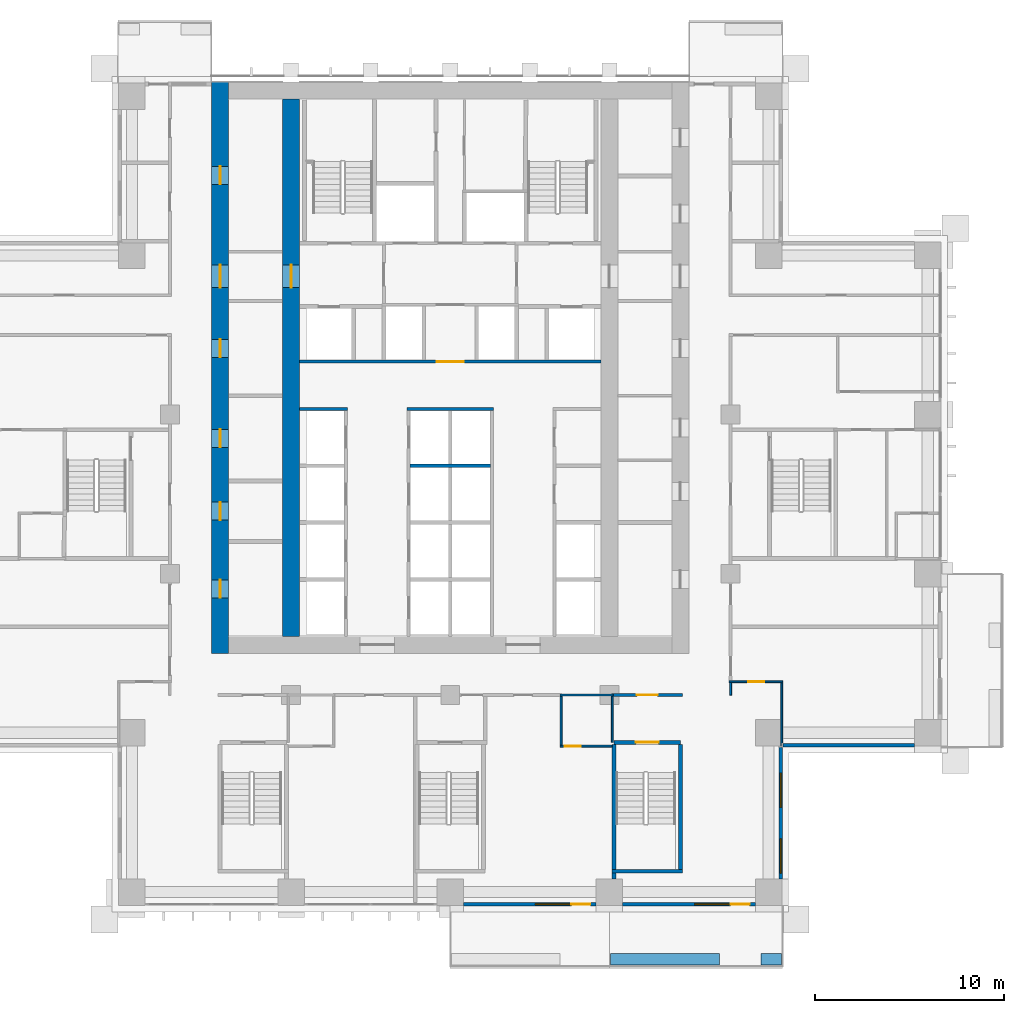
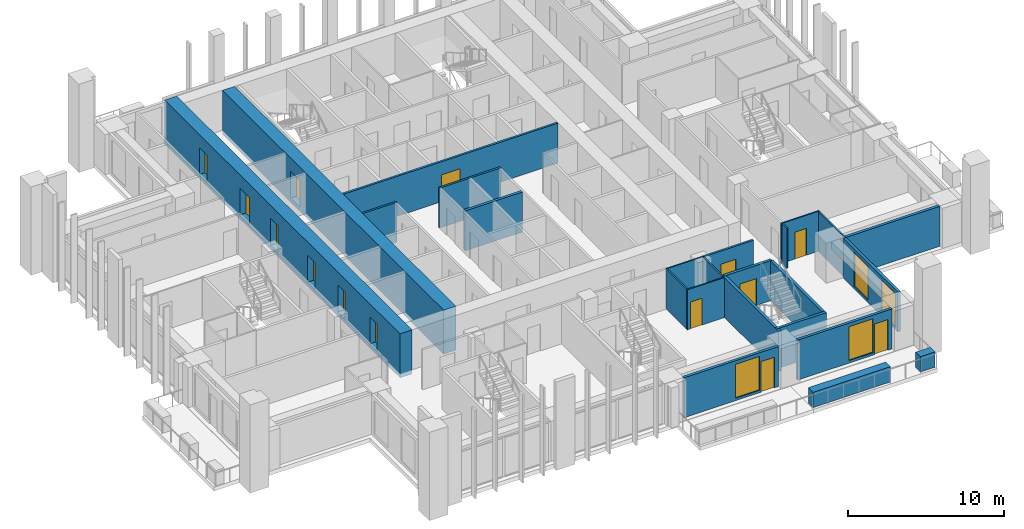
# One storey, part 10 of 19: 24 walls, 14 doors, 4 windows, 18 openings.
"""IFC4 building model written with IfcOpenShell, lengths in metres."""

from ifc_helpers import new_model, si_unit, direction, frame, frame_2d, origin, place, context, subcontext, project, spatial, rectangle, extrude, material, layer, layer_set, type_object, element, fill, save


model = new_model("IFC4")

# Units and contexts
model_context = context("Model", 3, precision=1e-05, world=origin(), true_north=direction((0.0, 1.0)))
body_context = subcontext(model_context, "Body", "Model", "MODEL_VIEW")
ifc_project = project(units=[si_unit("LENGTHUNIT", "METRE"), si_unit("AREAUNIT", "SQUARE_METRE"), si_unit("VOLUMEUNIT", "CUBIC_METRE"), si_unit("PLANEANGLEUNIT", "RADIAN"), si_unit("MASSUNIT", "GRAM", prefix="KILO")], contexts=[model_context])

# Site, building, storey
site_placement = place(None, origin())
site = spatial("IfcSite", under=ifc_project, at=site_placement, CompositionType="ELEMENT")
building_placement = place(site_placement, origin())
building = spatial("IfcBuilding", under=site, at=building_placement, Name="Vermilion Ogive Tower", CompositionType="ELEMENT")
storey_placement = place(building_placement, frame((0.0, 0.0, 62.10009765625)))
storey = spatial("IfcBuildingStorey", under=building, at=storey_placement, Name="L14", CompositionType="ELEMENT", Elevation=62.10009765625)

# Wall, openings, doors
ifc_material_1 = material(Name="Concrete B80", Category="concrete")
ifc_layer_1 = layer(ifc_material_1, 0.89990234375)
ifc_layer_set_1 = layer_set([ifc_layer_1], Name="Core wall 900 B80")
wall_type_1 = type_object("IfcWallType", Name="Core wall 900 B80", PredefinedType="SHEAR", material=ifc_layer_set_1)
wall_1_placement = place(storey_placement, frame((-12.14990234375, -8.39990234375, -0.320068359375), z_axis=(0.0, 0.0, 1.0), x_axis=(0.0, 1.0, 0.0)))
wall_1 = element("IfcWall", 1, at=wall_1_placement, inside=storey, type_object=wall_type_1, Name="L14-CORE-W", PredefinedType="SHEAR", context=body_context, shape_type="SweptSolid", body=[
    extrude(rectangle(XDim=30.14990234375, YDim=0.89990234375, at=frame_2d((15.074951171875, 0.0))), origin(), (0.0, 0.0, 1.0), 3.449951171875),
])
opening_1_placement = place(wall_1_placement, frame((2.925048828125, 0.0, 0.320068359375)))
opening_1 = element("IfcOpeningElement", 2, at=opening_1_placement, cuts=wall_1, Name="Opening DAD023", PredefinedType="OPENING", context=body_context, shape_type="SweptSolid", body=[
    extrude(rectangle(XDim=0.949951171875, YDim=2.10009765625, at=frame_2d((0.47509765625, 1.050048828125))), frame((0.0, 0.4599609375, 0.0), z_axis=(0.0, -1.0, 0.0), x_axis=(1.0, 0.0, 0.0)), (0.0, 0.0, 1.0), 0.919921875),
])
opening_2_placement = place(wall_1_placement, frame((7.02490234375, 0.0, 0.320068359375)))
opening_2 = element("IfcOpeningElement", 3, at=opening_2_placement, cuts=wall_1, Name="Opening DAD024", PredefinedType="OPENING", context=body_context, shape_type="SweptSolid", body=[
    extrude(rectangle(XDim=0.949951171875, YDim=2.10009765625, at=frame_2d((0.47509765625, 1.050048828125))), frame((0.0, 0.4599609375, 0.0), z_axis=(0.0, -1.0, 0.0), x_axis=(1.0, 0.0, 0.0)), (0.0, 0.0, 1.0), 0.919921875),
])
opening_3_placement = place(wall_1_placement, frame((10.875, 0.0, 0.320068359375)))
opening_3 = element("IfcOpeningElement", 4, at=opening_3_placement, cuts=wall_1, Name="Opening DAD025", PredefinedType="OPENING", context=body_context, shape_type="SweptSolid", body=[
    extrude(rectangle(XDim=0.949951171875, YDim=2.10009765625, at=frame_2d((0.47509765625, 1.050048828125))), frame((0.0, 0.4599609375, 0.0), z_axis=(0.0, -1.0, 0.0), x_axis=(1.0, 0.0, 0.0)), (0.0, 0.0, 1.0), 0.919921875),
])
opening_4_placement = place(wall_1_placement, frame((15.625, 0.0, 0.320068359375)))
opening_4 = element("IfcOpeningElement", 5, at=opening_4_placement, cuts=wall_1, Name="Opening DAD026", PredefinedType="OPENING", context=body_context, shape_type="SweptSolid", body=[
    extrude(rectangle(XDim=0.949951171875, YDim=2.10009765625, at=frame_2d((0.47509765625, 1.050048828125))), frame((0.0, 0.4599609375, 0.0), z_axis=(0.0, -1.0, 0.0), x_axis=(1.0, 0.0, 0.0)), (0.0, 0.0, 1.0), 0.919921875),
])
opening_5_placement = place(wall_1_placement, frame((24.75, 0.0, 0.320068359375)))
opening_5 = element("IfcOpeningElement", 6, at=opening_5_placement, cuts=wall_1, Name="Opening DAD027", PredefinedType="OPENING", context=body_context, shape_type="SweptSolid", body=[
    extrude(rectangle(XDim=0.949951171875, YDim=2.10009765625, at=frame_2d((0.47509765625, 1.050048828125))), frame((0.0, 0.4599609375, 0.0), z_axis=(0.0, -1.0, 0.0), x_axis=(1.0, 0.0, 0.0)), (0.0, 0.0, 1.0), 0.919921875),
])
opening_6_placement = place(wall_1_placement, frame((19.300048828125, 0.0, 0.320068359375)))
opening_6 = element("IfcOpeningElement", 7, at=opening_6_placement, cuts=wall_1, Name="Opening DAM005", PredefinedType="OPENING", context=body_context, shape_type="SweptSolid", body=[
    extrude(rectangle(XDim=1.199951171875, YDim=2.10009765625, at=frame_2d((0.60009765625, 1.050048828125))), frame((0.0, 0.4599609375, 0.0), z_axis=(0.0, -1.0, 0.0), x_axis=(1.0, 0.0, 0.0)), (0.0, 0.0, 1.0), 0.919921875),
])
ifc_material_2 = material(Name="Timber door leaf", Category="wood")
door_type_1 = type_object("IfcDoorType", Name="Link door 1200 x 2100 FD60S", OperationType="SINGLE_SWING_LEFT", PredefinedType="DOOR", material=ifc_material_2)
door_1_placement = place(opening_6_placement, origin())
door_1 = element("IfcDoor", 8, at=door_1_placement, inside=storey, type_object=door_type_1, Name="L14-CKW-XL", OperationType="SINGLE_SWING_LEFT", OverallHeight=2.10009765625, OverallWidth=1.199951171875, PredefinedType="DOOR", context=body_context, shape_type="SweptSolid", body=[
    extrude(rectangle(XDim=1.199951171875, YDim=2.10009765625, at=frame_2d((0.60009765625, 1.050048828125))), frame((0.0, 0.02490234375, 0.0), z_axis=(0.0, -1.0, 0.0), x_axis=(1.0, 0.0, 0.0)), (0.0, 0.0, 1.0), 0.050048828125),
])
fill(opening_6, door_1)
ifc_material_3 = material(Name="Timber door leaf", Category="wood")
door_type_2 = type_object("IfcDoorType", Name="Service door 950 x 2100 FD60", OperationType="SINGLE_SWING_LEFT", PredefinedType="DOOR", material=ifc_material_3)
door_2_placement = place(opening_1_placement, origin())
door_2 = element("IfcDoor", 9, at=door_2_placement, inside=storey, type_object=door_type_2, Name="L14-CKW-XR0", OperationType="SINGLE_SWING_LEFT", OverallHeight=2.10009765625, OverallWidth=0.949951171875, PredefinedType="DOOR", context=body_context, shape_type="SweptSolid", body=[
    extrude(rectangle(XDim=0.949951171875, YDim=2.10009765625, at=frame_2d((0.47509765625, 1.050048828125))), frame((0.0, 0.02490234375, 0.0), z_axis=(0.0, -1.0, 0.0), x_axis=(1.0, 0.0, 0.0)), (0.0, 0.0, 1.0), 0.050048828125),
])
fill(opening_1, door_2)
door_3_placement = place(opening_2_placement, origin())
door_3 = element("IfcDoor", 10, at=door_3_placement, inside=storey, type_object=door_type_2, Name="L14-CKW-XR1", OperationType="SINGLE_SWING_LEFT", OverallHeight=2.10009765625, OverallWidth=0.949951171875, PredefinedType="DOOR", context=body_context, shape_type="SweptSolid", body=[
    extrude(rectangle(XDim=0.949951171875, YDim=2.10009765625, at=frame_2d((0.47509765625, 1.050048828125))), frame((0.0, 0.02490234375, 0.0), z_axis=(0.0, -1.0, 0.0), x_axis=(1.0, 0.0, 0.0)), (0.0, 0.0, 1.0), 0.050048828125),
])
fill(opening_2, door_3)
door_4_placement = place(opening_3_placement, origin())
door_4 = element("IfcDoor", 11, at=door_4_placement, inside=storey, type_object=door_type_2, Name="L14-CKW-XR2", OperationType="SINGLE_SWING_LEFT", OverallHeight=2.10009765625, OverallWidth=0.949951171875, PredefinedType="DOOR", context=body_context, shape_type="SweptSolid", body=[
    extrude(rectangle(XDim=0.949951171875, YDim=2.10009765625, at=frame_2d((0.47509765625, 1.050048828125))), frame((0.0, 0.02490234375, 0.0), z_axis=(0.0, -1.0, 0.0), x_axis=(1.0, 0.0, 0.0)), (0.0, 0.0, 1.0), 0.050048828125),
])
fill(opening_3, door_4)
door_5_placement = place(opening_4_placement, origin())
door_5 = element("IfcDoor", 12, at=door_5_placement, inside=storey, type_object=door_type_2, Name="L14-CKW-XR3", OperationType="SINGLE_SWING_LEFT", OverallHeight=2.10009765625, OverallWidth=0.949951171875, PredefinedType="DOOR", context=body_context, shape_type="SweptSolid", body=[
    extrude(rectangle(XDim=0.949951171875, YDim=2.10009765625, at=frame_2d((0.47509765625, 1.050048828125))), frame((0.0, 0.02490234375, 0.0), z_axis=(0.0, -1.0, 0.0), x_axis=(1.0, 0.0, 0.0)), (0.0, 0.0, 1.0), 0.050048828125),
])
fill(opening_4, door_5)
door_6_placement = place(opening_5_placement, origin())
door_6 = element("IfcDoor", 13, at=door_6_placement, inside=storey, type_object=door_type_2, Name="L14-CKW-XR4", OperationType="SINGLE_SWING_LEFT", OverallHeight=2.10009765625, OverallWidth=0.949951171875, PredefinedType="DOOR", context=body_context, shape_type="SweptSolid", body=[
    extrude(rectangle(XDim=0.949951171875, YDim=2.10009765625, at=frame_2d((0.47509765625, 1.050048828125))), frame((0.0, 0.02490234375, 0.0), z_axis=(0.0, -1.0, 0.0), x_axis=(1.0, 0.0, 0.0)), (0.0, 0.0, 1.0), 0.050048828125),
])
fill(opening_5, door_6)

# Wall, opening, door
wall_2_placement = place(storey_placement, frame((-8.39990234375, -7.5, -0.320068359375), z_axis=(0.0, 0.0, 1.0), x_axis=(0.0, 1.0, 0.0)))
wall_2 = element("IfcWall", 14, at=wall_2_placement, inside=storey, type_object=wall_type_1, Name="L14-CORE-WEB1", PredefinedType="SHEAR", context=body_context, shape_type="SweptSolid", body=[
    extrude(rectangle(XDim=28.35009765625, YDim=0.89990234375, at=frame_2d((14.175048828125, 0.0))), origin(), (0.0, 0.0, 1.0), 3.449951171875),
])
opening_7_placement = place(wall_2_placement, frame((18.39990234375, 0.0, 0.320068359375)))
opening_7 = element("IfcOpeningElement", 15, at=opening_7_placement, cuts=wall_2, Name="Opening DAP005", PredefinedType="OPENING", context=body_context, shape_type="SweptSolid", body=[
    extrude(rectangle(XDim=1.199951171875, YDim=2.10009765625, at=frame_2d((0.60009765625, 1.050048828125))), frame((0.0, 0.4599609375, 0.0), z_axis=(0.0, -1.0, 0.0), x_axis=(1.0, 0.0, 0.0)), (0.0, 0.0, 1.0), 0.919921875),
])
door_7_placement = place(opening_7_placement, origin())
door_7 = element("IfcDoor", 16, at=door_7_placement, inside=storey, type_object=door_type_1, Name="L14-CKW-XW", OperationType="SINGLE_SWING_LEFT", OverallHeight=2.10009765625, OverallWidth=1.199951171875, PredefinedType="DOOR", context=body_context, shape_type="SweptSolid", body=[
    extrude(rectangle(XDim=1.199951171875, YDim=2.10009765625, at=frame_2d((0.60009765625, 1.050048828125))), frame((0.0, 0.02490234375, 0.0), z_axis=(0.0, -1.0, 0.0), x_axis=(1.0, 0.0, 0.0)), (0.0, 0.0, 1.0), 0.050048828125),
])
fill(opening_7, door_7)

ifc_material_4 = material(Name="Gypsum board partition on steel studs", Category="steel")
ifc_layer_2 = layer(ifc_material_4, 0.10009765625)
ifc_layer_set_2 = layer_set([ifc_layer_2], Name="Partition 100 bath")
wall_type_2 = type_object("IfcWallType", Name="Partition 100 bath", PredefinedType="PARTITIONING", material=ifc_layer_set_2)
wall_3_placement = place(storey_placement, frame((5.802001953125, -13.300048828125, 0.0), z_axis=(0.0, 0.0, 1.0), x_axis=(1.0, 0.0, 0.0)))
wall_3 = element("IfcWall", 17, at=wall_3_placement, inside=storey, type_object=wall_type_2, Name="L14-W-W003", PredefinedType="PARTITIONING", context=body_context, shape_type="SweptSolid", body=[
    extrude(rectangle(XDim=2.748046875, YDim=0.10009765625, at=frame_2d((1.3740234375, 0.0))), origin(), (0.0, 0.0, 1.0), 3.1298828125),
])
opening_8_placement = place(wall_3_placement, frame((0.248046875, 0.0, 0.0)))
opening_8 = element("IfcOpeningElement", 18, at=opening_8_placement, cuts=wall_3, Name="Opening D1G5011", PredefinedType="OPENING", context=body_context, shape_type="SweptSolid", body=[
    extrude(rectangle(XDim=0.85009765625, YDim=2.10009765625, at=frame_2d((0.425048828125, 1.050048828125))), frame((0.0, 0.06005859375, 0.0), z_axis=(0.0, -1.0, 0.0), x_axis=(1.0, 0.0, 0.0)), (0.0, 0.0, 1.0), 0.1201171875),
])
ifc_material_5 = material(Name="Timber door leaf", Category="wood")
door_type_3 = type_object("IfcDoorType", Name="Bath door 850 x 2100 FD30", OperationType="SINGLE_SWING_LEFT", PredefinedType="DOOR", material=ifc_material_5)
door_8_placement = place(opening_8_placement, origin())
door_8 = element("IfcDoor", 19, at=door_8_placement, inside=storey, type_object=door_type_3, Name="L14-D-D011", OperationType="SINGLE_SWING_LEFT", OverallHeight=2.10009765625, OverallWidth=0.85009765625, PredefinedType="DOOR", context=body_context, shape_type="SweptSolid", body=[
    extrude(rectangle(XDim=0.85009765625, YDim=2.10009765625, at=frame_2d((0.425048828125, 1.050048828125))), frame((0.0, 0.02490234375, 0.0), z_axis=(0.0, -1.0, 0.0), x_axis=(1.0, 0.0, 0.0)), (0.0, 0.0, 1.0), 0.050048828125),
])
fill(opening_8, door_8)

# Wall
wall_4_placement = place(storey_placement, frame((5.800048828125, -10.60009765625, 0.0), z_axis=(0.0, 0.0, 1.0), x_axis=(1.0, 0.0, 0.0)))
element("IfcWall", 20, at=wall_4_placement, inside=storey, type_object=wall_type_2, Name="L14-W-W010", PredefinedType="PARTITIONING", context=body_context, shape_type="SweptSolid", body=[
    extrude(rectangle(XDim=2.800048828125, YDim=0.10009765625, at=frame_2d((1.39990234375, 0.0))), origin(), (0.0, 0.0, 1.0), 3.1298828125),
])

# Wall, opening, door
wall_5_placement = place(storey_placement, frame((14.72509765625, -9.89990234375, 0.0), z_axis=(0.0, 0.0, 1.0), x_axis=(1.0, 0.0, 0.0)))
wall_5 = element("IfcWall", 21, at=wall_5_placement, inside=storey, type_object=wall_type_2, Name="L14-W-W013", PredefinedType="PARTITIONING", context=body_context, shape_type="SweptSolid", body=[
    extrude(rectangle(XDim=2.824951171875, YDim=0.10009765625, at=frame_2d((1.41259765625, 0.0))), origin(), (0.0, 0.0, 1.0), 3.1298828125),
])
opening_9_placement = place(wall_5_placement, frame((1.0, 0.0, 0.0)))
opening_9 = element("IfcOpeningElement", 22, at=opening_9_placement, cuts=wall_5, Name="Opening D1G5013", PredefinedType="OPENING", context=body_context, shape_type="SweptSolid", body=[
    extrude(rectangle(XDim=0.85009765625, YDim=2.10009765625, at=frame_2d((0.425048828125, 1.050048828125))), frame((0.0, 0.06005859375, 0.0), z_axis=(0.0, -1.0, 0.0), x_axis=(1.0, 0.0, 0.0)), (0.0, 0.0, 1.0), 0.1201171875),
])
door_9_placement = place(opening_9_placement, origin())
door_9 = element("IfcDoor", 23, at=door_9_placement, inside=storey, type_object=door_type_3, Name="L14-D-D013", OperationType="SINGLE_SWING_RIGHT", OverallHeight=2.10009765625, OverallWidth=0.85009765625, PredefinedType="DOOR", context=body_context, shape_type="SweptSolid", body=[
    extrude(rectangle(XDim=0.85009765625, YDim=2.10009765625, at=frame_2d((0.425048828125, 1.050048828125))), frame((0.0, 0.02490234375, 0.0), z_axis=(0.0, -1.0, 0.0), x_axis=(1.0, 0.0, 0.0)), (0.0, 0.0, 1.0), 0.050048828125),
])
fill(opening_9, door_9)

# Walls
wall_6_placement = place(storey_placement, frame((5.85009765625, -13.248046875, 0.0), z_axis=(0.0, 0.0, 1.0), x_axis=(0.0, 1.0, 0.0)))
element("IfcWall", 24, at=wall_6_placement, inside=storey, type_object=wall_type_2, Name="L14-W-W050", PredefinedType="PARTITIONING", context=body_context, shape_type="SweptSolid", body=[
    extrude(rectangle(XDim=2.572998046875, YDim=0.10009765625, at=frame_2d((1.28662109375, 0.0))), origin(), (0.0, 0.0, 1.0), 3.1298828125),
])
wall_7_placement = place(storey_placement, frame((8.550048828125, -13.10009765625, 0.0), z_axis=(0.0, 0.0, 1.0), x_axis=(0.0, 1.0, 0.0)))
element("IfcWall", 25, at=wall_7_placement, inside=storey, type_object=wall_type_2, Name="L14-W-W051", PredefinedType="PARTITIONING", context=body_context, shape_type="SweptSolid", body=[
    extrude(rectangle(XDim=2.425048828125, YDim=0.10009765625, at=frame_2d((1.21240234375, 0.0))), origin(), (0.0, 0.0, 1.0), 3.1298828125),
])
wall_8_placement = place(storey_placement, frame((14.800048828125, -10.60009765625, 0.0), z_axis=(0.0, 0.0, 1.0), x_axis=(0.0, 1.0, 0.0)))
element("IfcWall", 26, at=wall_8_placement, inside=storey, type_object=wall_type_2, Name="L14-W-W052", PredefinedType="PARTITIONING", context=body_context, shape_type="SweptSolid", body=[
    extrude(rectangle(XDim=0.650146484375, YDim=0.10009765625, at=frame_2d((0.3251953125, 0.0))), origin(), (0.0, 0.0, 1.0), 3.1298828125),
])
wall_9_placement = place(storey_placement, frame((17.5, -13.35009765625, 0.0), z_axis=(0.0, 0.0, 1.0), x_axis=(0.0, 1.0, 0.0)))
element("IfcWall", 27, at=wall_9_placement, inside=storey, type_object=wall_type_2, Name="L14-W-W056", PredefinedType="PARTITIONING", context=body_context, shape_type="SweptSolid", body=[
    extrude(rectangle(XDim=3.400146484375, YDim=0.10009765625, at=frame_2d((1.7001953125, 0.0))), origin(), (0.0, 0.0, 1.0), 3.1298828125),
])

# Wall, opening, door
ifc_material_6 = material(Name="Gypsum board partition on steel studs", Category="steel")
ifc_layer_3 = layer(ifc_material_6, 0.14990234375)
ifc_layer_set_3 = layer_set([ifc_layer_3], Name="Partition 150 corridor")
wall_type_3 = type_object("IfcWallType", Name="Partition 150 corridor", PredefinedType="PARTITIONING", material=ifc_layer_set_3)
wall_10_placement = place(storey_placement, frame((8.5, -10.60009765625, 0.0), z_axis=(0.0, 0.0, 1.0), x_axis=(1.0, 0.0, 0.0)))
wall_10 = element("IfcWall", 28, at=wall_10_placement, inside=storey, type_object=wall_type_3, Name="L14-W-W011", PredefinedType="PARTITIONING", context=body_context, shape_type="SweptSolid", body=[
    extrude(rectangle(XDim=3.75, YDim=0.14990234375, at=frame_2d((1.875, 0.0))), origin(), (0.0, 0.0, 1.0), 3.1298828125),
])
opening_10_placement = place(wall_10_placement, frame((1.35009765625, 0.0, 0.0)))
opening_10 = element("IfcOpeningElement", 29, at=opening_10_placement, cuts=wall_10, Name="Opening D1G5025", PredefinedType="OPENING", context=body_context, shape_type="SweptSolid", body=[
    extrude(rectangle(XDim=1.10009765625, YDim=2.10009765625, at=frame_2d((0.550048828125, 1.050048828125))), frame((0.0, 0.0849609375, 0.0), z_axis=(0.0, -1.0, 0.0), x_axis=(1.0, 0.0, 0.0)), (0.0, 0.0, 1.0), 0.169921875),
])
ifc_material_7 = material(Name="Timber door leaf", Category="wood")
door_type_4 = type_object("IfcDoorType", Name="Stair door 1100 x 2100 FD60S", OperationType="SINGLE_SWING_LEFT", PredefinedType="DOOR", material=ifc_material_7)
door_10_placement = place(opening_10_placement, origin())
door_10 = element("IfcDoor", 30, at=door_10_placement, inside=storey, type_object=door_type_4, Name="L14-D-D025", OperationType="SINGLE_SWING_RIGHT", OverallHeight=2.10009765625, OverallWidth=1.10009765625, PredefinedType="DOOR", context=body_context, shape_type="SweptSolid", body=[
    extrude(rectangle(XDim=1.10009765625, YDim=2.10009765625, at=frame_2d((0.550048828125, 1.050048828125))), frame((0.0, 0.02490234375, 0.0), z_axis=(0.0, -1.0, 0.0), x_axis=(1.0, 0.0, 0.0)), (0.0, 0.0, 1.0), 0.050048828125),
])
fill(opening_10, door_10)

# Walls
wall_11_placement = place(storey_placement, frame((-7.948974609375, 4.5, 0.0), z_axis=(0.0, 0.0, 1.0), x_axis=(1.0, 0.0, 0.0)))
element("IfcWall", 31, at=wall_11_placement, inside=storey, type_object=wall_type_3, Name="L14-CK-W-W010", PredefinedType="PARTITIONING", context=body_context, shape_type="SweptSolid", body=[
    extrude(rectangle(XDim=2.52392578125, YDim=0.14990234375, at=frame_2d((1.261962890625, 0.0))), origin(), (0.0, 0.0, 1.0), 3.1298828125),
])
wall_12_placement = place(storey_placement, frame((-2.27490234375, 4.5, 0.0), z_axis=(0.0, 0.0, 1.0), x_axis=(1.0, 0.0, 0.0)))
element("IfcWall", 32, at=wall_12_placement, inside=storey, type_object=wall_type_3, Name="L14-CK-W-W011", PredefinedType="PARTITIONING", context=body_context, shape_type="SweptSolid", body=[
    extrude(rectangle(XDim=4.5498046875, YDim=0.14990234375, at=frame_2d((2.27490234375, 0.0))), origin(), (0.0, 0.0, 1.0), 3.1298828125),
])

# Wall, opening, door
wall_13_placement = place(storey_placement, frame((-7.948974609375, 7.0, 0.0), z_axis=(0.0, 0.0, 1.0), x_axis=(1.0, 0.0, 0.0)))
wall_13 = element("IfcWall", 33, at=wall_13_placement, inside=storey, type_object=wall_type_3, Name="L14-CK-W-W013", PredefinedType="PARTITIONING", context=body_context, shape_type="SweptSolid", body=[
    extrude(rectangle(XDim=15.89794921875, YDim=0.14990234375, at=frame_2d((7.948974609375, 0.0))), origin(), (0.0, 0.0, 1.0), 3.1298828125),
])
opening_11_placement = place(wall_13_placement, frame((7.2490234375, 0.0, 0.0)))
opening_11 = element("IfcOpeningElement", 34, at=opening_11_placement, cuts=wall_13, Name="Opening DAA093", PredefinedType="OPENING", context=body_context, shape_type="SweptSolid", body=[
    extrude(rectangle(XDim=1.39990234375, YDim=2.10009765625, at=frame_2d((0.699951171875, 1.050048828125))), frame((0.0, 0.0849609375, 0.0), z_axis=(0.0, -1.0, 0.0), x_axis=(1.0, 0.0, 0.0)), (0.0, 0.0, 1.0), 0.169921875),
])
ifc_material_8 = material(Name="Timber door leaf", Category="wood")
door_type_5 = type_object("IfcDoorType", Name="Lobby door 1400 x 2100 FD60S", OperationType="SINGLE_SWING_LEFT", PredefinedType="DOOR", material=ifc_material_8)
door_11_placement = place(opening_11_placement, origin())
door_11 = element("IfcDoor", 35, at=door_11_placement, inside=storey, type_object=door_type_5, Name="L14-CK-D-D015", OperationType="SINGLE_SWING_RIGHT", OverallHeight=2.10009765625, OverallWidth=1.39990234375, PredefinedType="DOOR", context=body_context, shape_type="SweptSolid", body=[
    extrude(rectangle(XDim=1.39990234375, YDim=2.10009765625, at=frame_2d((0.699951171875, 1.050048828125))), frame((0.0, 0.02490234375, 0.0), z_axis=(0.0, -1.0, 0.0), x_axis=(1.0, 0.0, 0.0)), (0.0, 0.0, 1.0), 0.050048828125),
])
fill(opening_11, door_11)

# Wall
ifc_material_9 = material(Name="Gypsum board partition on steel studs", Category="steel")
ifc_layer_4 = layer(ifc_material_9, 0.199951171875)
ifc_layer_set_4 = layer_set([ifc_layer_4], Name="Partition 200 party")
wall_type_4 = type_object("IfcWallType", Name="Partition 200 party", PredefinedType="PARTITIONING", material=ifc_layer_set_4)
wall_14_placement = place(storey_placement, frame((-2.125, 1.5, 0.0), z_axis=(0.0, 0.0, 1.0), x_axis=(1.0, 0.0, 0.0)))
element("IfcWall", 36, at=wall_14_placement, inside=storey, type_object=wall_type_4, Name="L14-CK-W-W008", PredefinedType="PARTITIONING", context=body_context, shape_type="SweptSolid", body=[
    extrude(rectangle(XDim=4.25, YDim=0.199951171875, at=frame_2d((2.125, 0.0))), origin(), (0.0, 0.0, 1.0), 3.1298828125),
])

# Wall, opening, door
ifc_material_10 = material(Name="Concrete B60", Category="concrete")
ifc_layer_5 = layer(ifc_material_10, 0.199951171875)
ifc_layer_set_5 = layer_set([ifc_layer_5], Name="Stair shaft wall 200 Concrete B60")
wall_type_5 = type_object("IfcWallType", Name="Stair shaft wall 200 Concrete B60", PredefinedType="SOLIDWALL", material=ifc_layer_set_5)
wall_15_placement = place(storey_placement, frame((8.64990234375, -13.10009765625, 0.0), z_axis=(0.0, 0.0, 1.0), x_axis=(1.0, 0.0, 0.0)))
wall_15 = element("IfcWall", 37, at=wall_15_placement, inside=storey, type_object=wall_type_5, Name="L14-W-W006", PredefinedType="SOLIDWALL", context=body_context, shape_type="SweptSolid", body=[
    extrude(rectangle(XDim=3.5, YDim=0.199951171875, at=frame_2d((1.75, 0.0))), origin(), (0.0, 0.0, 1.0), 3.1298828125),
])
opening_12_placement = place(wall_15_placement, frame((1.150146484375, 0.0, 0.0)))
opening_12 = element("IfcOpeningElement", 38, at=opening_12_placement, cuts=wall_15, Name="Opening D1G5026", PredefinedType="OPENING", context=body_context, shape_type="SweptSolid", body=[
    extrude(rectangle(XDim=1.199951171875, YDim=2.10009765625, at=frame_2d((0.60009765625, 1.050048828125))), frame((0.0, 0.10986328125, 0.0), z_axis=(0.0, -1.0, 0.0), x_axis=(1.0, 0.0, 0.0)), (0.0, 0.0, 1.0), 0.219970703125),
])
ifc_material_11 = material(Name="Timber door leaf", Category="wood")
door_type_6 = type_object("IfcDoorType", Name="Stair door 1200 x 2100 FD60S", OperationType="SINGLE_SWING_LEFT", PredefinedType="DOOR", material=ifc_material_11)
door_12_placement = place(opening_12_placement, origin())
door_12 = element("IfcDoor", 39, at=door_12_placement, inside=storey, type_object=door_type_6, Name="L14-D-D026", OperationType="SINGLE_SWING_RIGHT", OverallHeight=2.10009765625, OverallWidth=1.199951171875, PredefinedType="DOOR", context=body_context, shape_type="SweptSolid", body=[
    extrude(rectangle(XDim=1.199951171875, YDim=2.10009765625, at=frame_2d((0.60009765625, 1.050048828125))), frame((0.0, 0.02490234375, 0.0), z_axis=(0.0, -1.0, 0.0), x_axis=(1.0, 0.0, 0.0)), (0.0, 0.0, 1.0), 0.050048828125),
])
fill(opening_12, door_12)

# Walls
wall_16_placement = place(storey_placement, frame((8.550048828125, -19.89990234375, 0.0), z_axis=(0.0, 0.0, 1.0), x_axis=(1.0, 0.0, 0.0)))
element("IfcWall", 40, at=wall_16_placement, inside=storey, type_object=wall_type_5, Name="L14-SW-ST5-S1", PredefinedType="SOLIDWALL", context=body_context, shape_type="SweptSolid", body=[
    extrude(rectangle(XDim=3.699951171875, YDim=0.199951171875, at=frame_2d((1.85009765625, 0.0))), origin(), (0.0, 0.0, 1.0), 3.1298828125),
])
wall_17_placement = place(storey_placement, frame((8.64990234375, -20.300048828125, 0.0), z_axis=(0.0, 0.0, 1.0), x_axis=(0.0, 1.0, 0.0)))
element("IfcWall", 41, at=wall_17_placement, inside=storey, type_object=wall_type_5, Name="L14-SW-ST5-W1", PredefinedType="SOLIDWALL", context=body_context, shape_type="SweptSolid", body=[
    extrude(rectangle(XDim=7.10009765625, YDim=0.199951171875, at=frame_2d((3.550048828125, 0.0))), origin(), (0.0, 0.0, 1.0), 3.1298828125),
])
wall_18_placement = place(storey_placement, frame((12.14990234375, -19.800048828125, 0.0), z_axis=(0.0, 0.0, 1.0), x_axis=(0.0, 1.0, 0.0)))
element("IfcWall", 42, at=wall_18_placement, inside=storey, type_object=wall_type_5, Name="L14-SW-ST5-E1", PredefinedType="SOLIDWALL", context=body_context, shape_type="SweptSolid", body=[
    extrude(rectangle(XDim=6.60009765625, YDim=0.199951171875, at=frame_2d((3.300048828125, 0.0))), origin(), (0.0, 0.0, 1.0), 3.1298828125),
])
ifc_material_12 = material(Name="Concrete B40", Category="concrete")
ifc_layer_6 = layer(ifc_material_12, 0.60009765625)
ifc_layer_set_6 = layer_set([ifc_layer_6], Name="Structural planter")
wall_type_6 = type_object("IfcWallType", Name="Structural planter", PredefinedType="USERDEFINED", material=ifc_layer_set_6)
wall_19_placement = place(storey_placement, frame((8.4599609375, -24.550048828125, -0.0400390625), z_axis=(0.0, 0.0, 1.0), x_axis=(1.0, 0.0, 0.0)))
element("IfcWall", 43, at=wall_19_placement, inside=storey, type_object=wall_type_6, Name="Planter S04A1", ObjectType="PLANTER", PredefinedType="USERDEFINED", context=body_context, shape_type="SweptSolid", body=[
    extrude(rectangle(XDim=5.739990234375, YDim=0.60009765625, at=frame_2d((2.8701171875, 0.0))), origin(), (0.0, 0.0, 1.0), 1.199951171875),
])
wall_20_placement = place(storey_placement, frame((16.39990234375, -24.550048828125, -0.0400390625), z_axis=(0.0, 0.0, 1.0), x_axis=(1.0, 0.0, 0.0)))
element("IfcWall", 44, at=wall_20_placement, inside=storey, type_object=wall_type_6, Name="Planter S04A2", ObjectType="PLANTER", PredefinedType="USERDEFINED", context=body_context, shape_type="SweptSolid", body=[
    extrude(rectangle(XDim=1.090087890625, YDim=0.60009765625, at=frame_2d((0.544921875, 0.0))), origin(), (0.0, 0.0, 1.0), 1.199951171875),
])

# Wall, openings, door, window
ifc_material_13 = material(Name="Aluminium window wall framing", Category="aluminium")
ifc_layer_7 = layer(ifc_material_13, 0.199951171875)
ifc_layer_set_7 = layer_set([ifc_layer_7], Name="Window wall")
wall_type_7 = type_object("IfcWallType", Name="Window wall", PredefinedType="STANDARD", material=ifc_layer_set_7)
wall_21_placement = place(storey_placement, frame((0.699951171875, -21.64990234375, 0.0), z_axis=(0.0, 0.0, 1.0), x_axis=(1.0, 0.0, 0.0)))
wall_21 = element("IfcWall", 45, at=wall_21_placement, inside=storey, type_object=wall_type_7, Name="Window wall S3", PredefinedType="STANDARD", context=body_context, shape_type="SweptSolid", body=[
    extrude(rectangle(XDim=7.0, YDim=0.199951171875, at=frame_2d((3.5, 0.0))), origin(), (0.0, 0.0, 1.0), 3.1298828125),
])
opening_13_placement = place(wall_21_placement, frame((3.800048828125, 0.0, 0.199951171875)))
opening_13 = element("IfcOpeningElement", 46, at=opening_13_placement, cuts=wall_21, Name="Opening W1-S01", PredefinedType="OPENING", context=body_context, shape_type="SweptSolid", body=[
    extrude(rectangle(XDim=1.800048828125, YDim=2.64990234375, at=frame_2d((0.89990234375, 1.324951171875))), frame((0.0, 0.10986328125, 0.0), z_axis=(0.0, -1.0, 0.0), x_axis=(1.0, 0.0, 0.0)), (0.0, 0.0, 1.0), 0.219970703125),
])
opening_14_placement = place(wall_21_placement, frame((5.699951171875, 0.0, 0.0)))
opening_14 = element("IfcOpeningElement", 47, at=opening_14_placement, cuts=wall_21, Name="Opening D1-S01", PredefinedType="OPENING", context=body_context, shape_type="SweptSolid", body=[
    extrude(rectangle(XDim=1.0, YDim=2.39990234375, at=frame_2d((0.5, 1.199951171875))), frame((0.0, 0.10986328125, 0.0), z_axis=(0.0, -1.0, 0.0), x_axis=(1.0, 0.0, 0.0)), (0.0, 0.0, 1.0), 0.219970703125),
])
ifc_material_14 = material(Name="Aluminium framed glazed door", Category="aluminium")
door_type_7 = type_object("IfcDoorType", Name="Balcony door D1", OperationType="SINGLE_SWING_LEFT", PredefinedType="DOOR", material=ifc_material_14)
door_13_placement = place(opening_14_placement, origin())
door_13 = element("IfcDoor", 48, at=door_13_placement, inside=storey, type_object=door_type_7, Name="Balcony door S01", OperationType="SINGLE_SWING_LEFT", OverallHeight=2.39990234375, OverallWidth=1.0, PredefinedType="DOOR", context=body_context, shape_type="SweptSolid", body=[
    extrude(rectangle(XDim=1.0, YDim=2.39990234375, at=frame_2d((0.5, 1.199951171875))), frame((0.0, 0.02490234375, 0.0), z_axis=(0.0, -1.0, 0.0), x_axis=(1.0, 0.0, 0.0)), (0.0, 0.0, 1.0), 0.050048828125),
])
fill(opening_14, door_13)
ifc_material_15 = material(Name="Aluminium framed double glazing", Category="aluminium")
window_type = type_object("IfcWindowType", Name="Guest window W1", PartitioningType="SINGLE_PANEL", PredefinedType="WINDOW", material=ifc_material_15)
window_1_placement = place(opening_13_placement, origin())
window_1 = element("IfcWindow", 49, at=window_1_placement, inside=storey, type_object=window_type, Name="Window S01", OverallHeight=2.64990234375, OverallWidth=1.800048828125, PartitioningType="SINGLE_PANEL", PredefinedType="WINDOW", context=body_context, shape_type="SweptSolid", body=[
    extrude(rectangle(XDim=1.800048828125, YDim=2.64990234375, at=frame_2d((0.89990234375, 1.324951171875))), frame((0.0, 0.030029296875, 0.0), z_axis=(0.0, -1.0, 0.0), x_axis=(1.0, 0.0, 0.0)), (0.0, 0.0, 1.0), 0.06005859375),
])
fill(opening_13, window_1)

wall_22_placement = place(storey_placement, frame((9.10009765625, -21.64990234375, 0.0), z_axis=(0.0, 0.0, 1.0), x_axis=(1.0, 0.0, 0.0)))
wall_22 = element("IfcWall", 50, at=wall_22_placement, inside=storey, type_object=wall_type_7, Name="Window wall S4", PredefinedType="STANDARD", context=body_context, shape_type="SweptSolid", body=[
    extrude(rectangle(XDim=7.0, YDim=0.199951171875, at=frame_2d((3.5, 0.0))), origin(), (0.0, 0.0, 1.0), 3.1298828125),
])
opening_15_placement = place(wall_22_placement, frame((3.800048828125, 0.0, 0.199951171875)))
opening_15 = element("IfcOpeningElement", 51, at=opening_15_placement, cuts=wall_22, Name="Opening W1-S03", PredefinedType="OPENING", context=body_context, shape_type="SweptSolid", body=[
    extrude(rectangle(XDim=1.800048828125, YDim=2.64990234375, at=frame_2d((0.89990234375, 1.324951171875))), frame((0.0, 0.10986328125, 0.0), z_axis=(0.0, -1.0, 0.0), x_axis=(1.0, 0.0, 0.0)), (0.0, 0.0, 1.0), 0.219970703125),
])
opening_16_placement = place(wall_22_placement, frame((5.699951171875, 0.0, 0.0)))
opening_16 = element("IfcOpeningElement", 52, at=opening_16_placement, cuts=wall_22, Name="Opening D1-S03", PredefinedType="OPENING", context=body_context, shape_type="SweptSolid", body=[
    extrude(rectangle(XDim=1.0, YDim=2.39990234375, at=frame_2d((0.5, 1.199951171875))), frame((0.0, 0.10986328125, 0.0), z_axis=(0.0, -1.0, 0.0), x_axis=(1.0, 0.0, 0.0)), (0.0, 0.0, 1.0), 0.219970703125),
])
door_14_placement = place(opening_16_placement, origin())
door_14 = element("IfcDoor", 53, at=door_14_placement, inside=storey, type_object=door_type_7, Name="Balcony door S03", OperationType="SINGLE_SWING_LEFT", OverallHeight=2.39990234375, OverallWidth=1.0, PredefinedType="DOOR", context=body_context, shape_type="SweptSolid", body=[
    extrude(rectangle(XDim=1.0, YDim=2.39990234375, at=frame_2d((0.5, 1.199951171875))), frame((0.0, 0.02490234375, 0.0), z_axis=(0.0, -1.0, 0.0), x_axis=(1.0, 0.0, 0.0)), (0.0, 0.0, 1.0), 0.050048828125),
])
fill(opening_16, door_14)
window_2_placement = place(opening_15_placement, origin())
window_2 = element("IfcWindow", 54, at=window_2_placement, inside=storey, type_object=window_type, Name="Window S03", OverallHeight=2.64990234375, OverallWidth=1.800048828125, PartitioningType="SINGLE_PANEL", PredefinedType="WINDOW", context=body_context, shape_type="SweptSolid", body=[
    extrude(rectangle(XDim=1.800048828125, YDim=2.64990234375, at=frame_2d((0.89990234375, 1.324951171875))), frame((0.0, 0.030029296875, 0.0), z_axis=(0.0, -1.0, 0.0), x_axis=(1.0, 0.0, 0.0)), (0.0, 0.0, 1.0), 0.06005859375),
])
fill(opening_15, window_2)

# Wall, openings, windows
wall_23_placement = place(storey_placement, frame((17.449951171875, -20.300048828125, 0.0), z_axis=(0.0, 0.0, 1.0), x_axis=(0.0, 1.0, 0.0)))
wall_23 = element("IfcWall", 55, at=wall_23_placement, inside=storey, type_object=wall_type_7, Name="Window wall X11", PredefinedType="STANDARD", context=body_context, shape_type="SweptSolid", body=[
    extrude(rectangle(XDim=6.949951171875, YDim=0.199951171875, at=frame_2d((3.47509765625, 0.0))), origin(), (0.0, 0.0, 1.0), 3.1298828125),
])
opening_17_placement = place(wall_23_placement, frame((0.300048828125, 0.0, 0.199951171875)))
opening_17 = element("IfcOpeningElement", 56, at=opening_17_placement, cuts=wall_23, Name="Opening W1-X195", PredefinedType="OPENING", context=body_context, shape_type="SweptSolid", body=[
    extrude(rectangle(XDim=1.800048828125, YDim=2.64990234375, at=frame_2d((0.89990234375, 1.324951171875))), frame((0.0, 0.10986328125, 0.0), z_axis=(0.0, -1.0, 0.0), x_axis=(1.0, 0.0, 0.0)), (0.0, 0.0, 1.0), 0.219970703125),
])
opening_18_placement = place(wall_23_placement, frame((3.77490234375, 0.0, 0.199951171875)))
opening_18 = element("IfcOpeningElement", 57, at=opening_18_placement, cuts=wall_23, Name="Opening W1-X196", PredefinedType="OPENING", context=body_context, shape_type="SweptSolid", body=[
    extrude(rectangle(XDim=1.800048828125, YDim=2.64990234375, at=frame_2d((0.89990234375, 1.324951171875))), frame((0.0, 0.10986328125, 0.0), z_axis=(0.0, -1.0, 0.0), x_axis=(1.0, 0.0, 0.0)), (0.0, 0.0, 1.0), 0.219970703125),
])
window_3_placement = place(opening_17_placement, origin())
window_3 = element("IfcWindow", 58, at=window_3_placement, inside=storey, type_object=window_type, Name="Window X195", OverallHeight=2.64990234375, OverallWidth=1.800048828125, PartitioningType="SINGLE_PANEL", PredefinedType="WINDOW", context=body_context, shape_type="SweptSolid", body=[
    extrude(rectangle(XDim=1.800048828125, YDim=2.64990234375, at=frame_2d((0.89990234375, 1.324951171875))), frame((0.0, 0.030029296875, 0.0), z_axis=(0.0, -1.0, 0.0), x_axis=(1.0, 0.0, 0.0)), (0.0, 0.0, 1.0), 0.06005859375),
])
fill(opening_17, window_3)
window_4_placement = place(opening_18_placement, origin())
window_4 = element("IfcWindow", 59, at=window_4_placement, inside=storey, type_object=window_type, Name="Window X196", OverallHeight=2.64990234375, OverallWidth=1.800048828125, PartitioningType="SINGLE_PANEL", PredefinedType="WINDOW", context=body_context, shape_type="SweptSolid", body=[
    extrude(rectangle(XDim=1.800048828125, YDim=2.64990234375, at=frame_2d((0.89990234375, 1.324951171875))), frame((0.0, 0.030029296875, 0.0), z_axis=(0.0, -1.0, 0.0), x_axis=(1.0, 0.0, 0.0)), (0.0, 0.0, 1.0), 0.06005859375),
])
fill(opening_18, window_4)

# Wall
wall_24_placement = place(storey_placement, frame((17.550048828125, -13.25, 0.0), z_axis=(0.0, 0.0, 1.0), x_axis=(1.0, 0.0, 0.0)))
element("IfcWall", 60, at=wall_24_placement, inside=storey, type_object=wall_type_7, Name="Window wall X21", PredefinedType="STANDARD", context=body_context, shape_type="SweptSolid", body=[
    extrude(rectangle(XDim=6.949951171875, YDim=0.199951171875, at=frame_2d((3.47509765625, 0.0))), origin(), (0.0, 0.0, 1.0), 3.1298828125),
])

save(model, "model.ifc")
